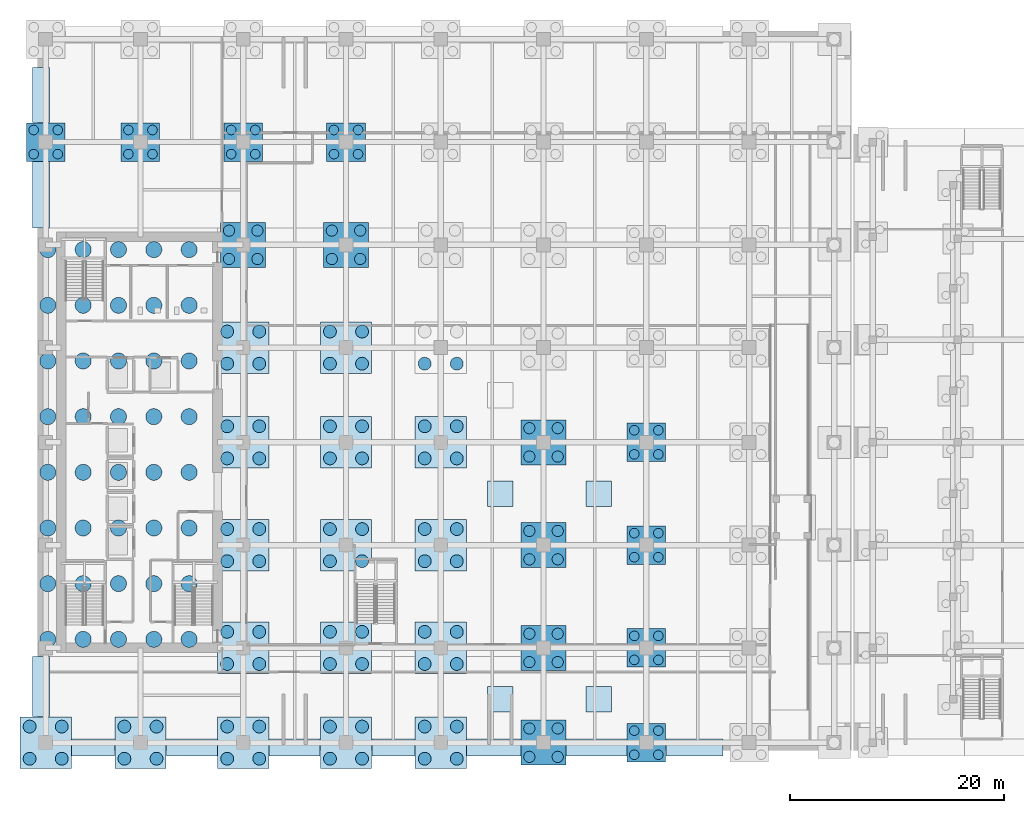
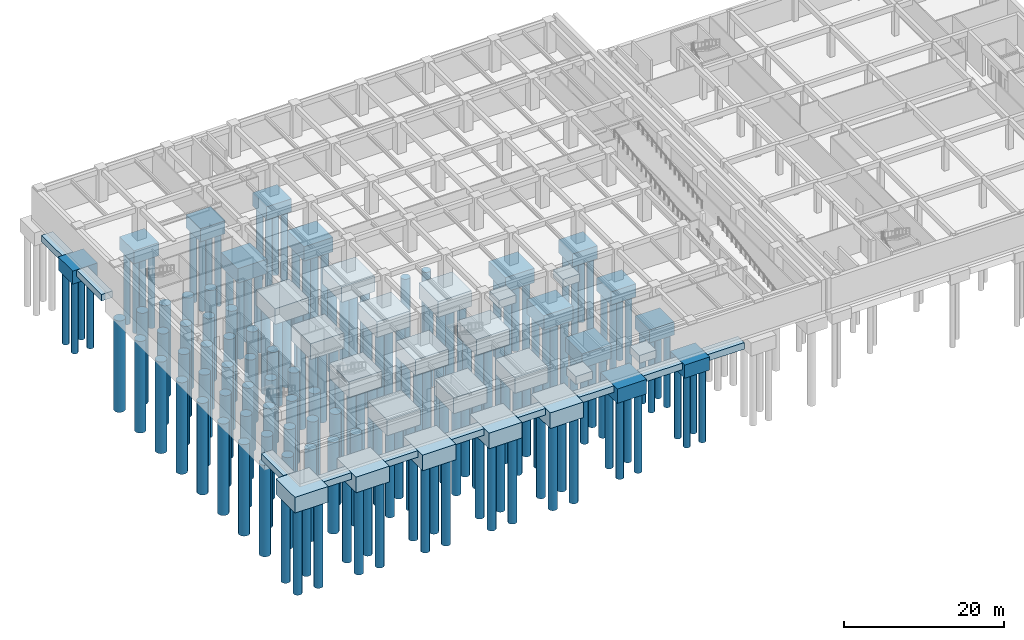
# One storey, part 1 of 20: 162 piles, 44 footings.
"""IFC4 building model written with IfcOpenShell, lengths in metres."""

import ifcopenshell
import ifcopenshell.guid

model = None  # the IFC model being written
_history = None  # IfcOwnerHistory: only IFC2X3 demands one
_inside = {}  # id of a spatial element -> (the spatial element, [elements in it])
_under = {}  # id of a project, library or spatial element -> (it, [spatial elements below it])
_declared = {}  # id of a project -> (the project, [libraries it declares])
_typed = {}  # id of a type object -> (the type object, [elements of that type])
_made_of = {}  # id of a material, layer set ... -> (it, [elements and type objects made of it])


def new_model(schema):
    """Start an empty IFC model of exactly this schema.

    Asked for "IFC4X3", IfcOpenShell would pick the latest addendum, in which some entities
    have other attributes; the version numbers below select the first issue.
    IFC2X3 requires an IfcOwnerHistory on every rooted entity: one is made here for all.
    """
    global model, _history
    if schema == "IFC4X3":
        model = ifcopenshell.file(schema_version=(4, 3, 0, 0))
    else:
        model = ifcopenshell.file(schema=schema)
    _inside.clear()
    _under.clear()
    _declared.clear()
    _typed.clear()
    _made_of.clear()
    _history = None
    if model.schema == "IFC2X3":
        org = make("IfcOrganization", Name="unknown")
        user = make(
            "IfcPersonAndOrganization",
            ThePerson=make("IfcPerson", FamilyName="unknown"),
            TheOrganization=org,
        )
        app = make(
            "IfcApplication",
            ApplicationDeveloper=org,
            Version="unknown",
            ApplicationFullName="unknown",
            ApplicationIdentifier="unknown",
        )
        _history = make(
            "IfcOwnerHistory",
            OwningUser=user,
            OwningApplication=app,
            ChangeAction="ADDED",
            CreationDate=0,
        )
    return model


def make(cls, **values):
    """One entity of the class cls with the attributes given. An attribute that is None is left unset."""
    return model.create_entity(
        cls, **{name: value for name, value in values.items() if value is not None}
    )


def rooted(cls, **values):
    """An entity with a GlobalId (a new one), such as an element, a storey or a relation."""
    return make(cls, GlobalId=ifcopenshell.guid.new(), OwnerHistory=_history, **values)


def si_unit(unit_type, name, prefix=None):
    """IfcSIUnit, for example si_unit("LENGTHUNIT", "METRE", prefix="MILLI")."""
    return make("IfcSIUnit", UnitType=unit_type, Prefix=prefix, Name=name)


def assignment(units):
    """IfcUnitAssignment: the units of a project."""
    return None if units is None else make("IfcUnitAssignment", Units=units)


def point(xyz):
    """IfcCartesianPoint."""
    return None if xyz is None else make("IfcCartesianPoint", Coordinates=xyz)


def direction(xyz):
    """IfcDirection."""
    return None if xyz is None else make("IfcDirection", DirectionRatios=xyz)


def frame(location, z_axis=None, x_axis=None):
    """IfcAxis2Placement3D, a coordinate frame: its origin and axes. An axis left out is left unset."""
    return make(
        "IfcAxis2Placement3D",
        Location=point(location),
        Axis=direction(z_axis),
        RefDirection=direction(x_axis),
    )


def frame_2d(location, x_axis=None):
    """IfcAxis2Placement2D, a coordinate frame in the plane: its origin and x axis."""
    return make(
        "IfcAxis2Placement2D", Location=point(location), RefDirection=direction(x_axis)
    )


def origin():
    """The frame at (0, 0, 0) with its axes left unset."""
    return frame((0.0, 0.0, 0.0))


def origin_2d():
    """The frame at (0, 0) in the plane with its x axis left unset."""
    return frame_2d((0.0, 0.0))


def place(relative_to, where):
    """IfcLocalPlacement: puts the frame where relative to a parent placement (None: the world)."""
    return make(
        "IfcLocalPlacement", PlacementRelTo=relative_to, RelativePlacement=where
    )


def context(
    kind, dimensions, precision=None, world=None, true_north=None, identifier=None
):
    """IfcGeometricRepresentationContext, for example the 3D "Model" context."""
    return make(
        "IfcGeometricRepresentationContext",
        ContextIdentifier=identifier,
        ContextType=kind,
        CoordinateSpaceDimension=dimensions,
        Precision=precision,
        WorldCoordinateSystem=world,
        TrueNorth=true_north,
    )


def subcontext(parent, identifier, kind, view, scale=None):
    """IfcGeometricRepresentationSubContext, for example "Body" below "Model"."""
    return make(
        "IfcGeometricRepresentationSubContext",
        ContextIdentifier=identifier,
        ContextType=kind,
        ParentContext=parent,
        TargetScale=scale,
        TargetView=view,
    )


def project(units=None, contexts=None):
    """IfcProject with its units and contexts."""
    return rooted(
        "IfcProject",
        Name="project",
        RepresentationContexts=contexts,
        UnitsInContext=assignment(units),
    )


def spatial(cls, under=None, at=None, **own):
    """A site, building, storey or space (cls), placed at a placement, below another one or the project."""
    s = rooted(cls, ObjectPlacement=at, **own)
    if under is not None:
        _under.setdefault(under.id(), (under, []))[1].append(s)
    return s


def profile(cls, at=None, kind="AREA", **sizes):
    """A parametric profile (cls). Its sizes go by their IFC names, for example OverallWidth=200.0."""
    return make(cls, ProfileType=kind, Position=at, **sizes)


def rectangle(**sizes):
    """IfcRectangleProfileDef."""
    return profile("IfcRectangleProfileDef", **sizes)


def circle(**sizes):
    """IfcCircleProfileDef."""
    return profile("IfcCircleProfileDef", **sizes)


def extrude(swept, where, along, depth):
    """IfcExtrudedAreaSolid: the profile swept, set in the frame where, extruded along a direction by depth."""
    return make(
        "IfcExtrudedAreaSolid",
        SweptArea=swept,
        Position=where,
        ExtrudedDirection=direction(along),
        Depth=depth,
    )


def shape(context_of_items, identifier, shape_type, items):
    """IfcShapeRepresentation: the items that make up one representation, for example the "Body"."""
    return make(
        "IfcShapeRepresentation",
        ContextOfItems=context_of_items,
        RepresentationIdentifier=identifier,
        RepresentationType=shape_type,
        Items=items,
    )


def material(Name=None, Category=None):
    """IfcMaterial."""
    return make("IfcMaterial", Name=Name, Category=Category)


def material_profile(
    of_material, cross_section, Name=None, Category=None, Priority=None
):
    """IfcMaterialProfile: a cross section and its material."""
    return make(
        "IfcMaterialProfile",
        Name=Name,
        Material=of_material,
        Profile=cross_section,
        Priority=Priority,
        Category=Category,
    )


def profile_set(profiles, Name=None, composite=None):
    """IfcMaterialProfileSet."""
    return make(
        "IfcMaterialProfileSet",
        Name=Name,
        MaterialProfiles=profiles,
        CompositeProfile=composite,
    )


def made_of(thing, what):
    """Note that an element or type object is made of a material, layer set ...; save() writes the relation."""
    if what is not None:
        _made_of.setdefault(what.id(), (what, []))[1].append(thing)
    return thing


def type_object(cls, material=None, **own):
    """A type object (cls), such as IfcWallType, which elements share."""
    return made_of(rooted(cls, **own), material)


def element(
    cls,
    number,
    at=None,
    inside=None,
    cuts=None,
    type_object=None,
    material=None,
    context=None,
    identifier="Body",
    shape_type=None,
    held_by="IfcProductDefinitionShape",
    body=None,
    shapes=None,
    **own,
):
    """One element of the class cls, such as IfcWall. Its Tag is "e" and its number.

    at: its placement. inside: the storey or other place that contains it. cuts: it is an
    opening in that element (IfcRelVoidsElement). A single representation is given by context,
    identifier, shape_type and body (its items); several are given by shapes. held_by: the class
    of the entity that holds the representations. save() writes the other relations.
    """
    e = rooted(cls, Tag="e%d" % number, ObjectPlacement=at, **own)
    if body is not None:
        shapes = [shape(context, identifier, shape_type, body)]
    if shapes is not None:
        e.Representation = make(held_by, Representations=shapes)
    if inside is not None:
        _inside.setdefault(inside.id(), (inside, []))[1].append(e)
    if cuts is not None:
        rooted(
            "IfcRelVoidsElement", RelatingBuildingElement=cuts, RelatedOpeningElement=e
        )
    if type_object is not None:
        _typed.setdefault(type_object.id(), (type_object, []))[1].append(e)
    return made_of(e, material)


def aggregate(whole, parts):
    """IfcRelAggregates: a whole, such as a stair, and the parts it consists of."""
    return rooted("IfcRelAggregates", RelatingObject=whole, RelatedObjects=parts)


def save(model, path):
    """Write the relations noted so far, then the file.

    IfcRelAggregates (storeys below a building ...), IfcRelContainedInSpatialStructure (elements
    in a storey), IfcRelDefinesByType, IfcRelAssociatesMaterial and IfcRelDeclares: one each for
    every whole, place, type object, material and project.
    """
    for whole, parts in _under.values():
        aggregate(whole, parts)
    for where, things in _inside.values():
        rooted(
            "IfcRelContainedInSpatialStructure",
            RelatedElements=things,
            RelatingStructure=where,
        )
    for kind, things in _typed.values():
        rooted("IfcRelDefinesByType", RelatedObjects=things, RelatingType=kind)
    for what, things in _made_of.values():
        rooted("IfcRelAssociatesMaterial", RelatedObjects=things, RelatingMaterial=what)
    for by, libraries in _declared.values():
        rooted("IfcRelDeclares", RelatingContext=by, RelatedDefinitions=libraries)
    model.write(path)


model = new_model("IFC4")

# Units and contexts
model_context = context("Model", 3, precision=1e-05, world=origin(), true_north=direction((0.0, 1.0)))
body_context = subcontext(model_context, "Body", "Model", "MODEL_VIEW")
ifc_project = project(units=[si_unit("LENGTHUNIT", "METRE"), si_unit("AREAUNIT", "SQUARE_METRE"), si_unit("VOLUMEUNIT", "CUBIC_METRE"), si_unit("PLANEANGLEUNIT", "RADIAN"), si_unit("MASSUNIT", "GRAM", prefix="KILO")], contexts=[model_context])

# Site, building, storey
site_placement = place(None, origin())
site = spatial("IfcSite", under=ifc_project, at=site_placement, CompositionType="ELEMENT")
building_placement = place(site_placement, origin())
building = spatial("IfcBuilding", under=site, at=building_placement, Name="Norrvale University Quadrangle", CompositionType="ELEMENT")
storey_placement = place(building_placement, frame((0.0, 0.0, -5.0)))
storey = spatial("IfcBuildingStorey", under=building, at=storey_placement, Name="B01", CompositionType="ELEMENT", Elevation=-5.0)

# Footings
ifc_material = material(Name="Concrete C50/60", Category="concrete")
footing_type_1 = type_object("IfcFootingType", Name="Footing Cap 3600x3600x2000", PredefinedType="PILE_CAP", material=ifc_material)
for number, where, z_axis, x_axis, name in (
    (1, (0.75, 56.85009765625, -2.419921875), (0.0, 0.0, 1.0), (1.0, 0.0, 0.0), "Tower Pile Cap 002"),
    (2, (9.60009765625, 56.85009765625, -2.419921875), (0.0, 0.0, 1.0), (1.0, 0.0, 0.0), "Tower Pile Cap 005"),
    (3, (19.199951171875, 56.85009765625, -2.419921875), (0.0, 0.0, 1.0), (1.0, 0.0, 0.0), "Tower Pile Cap 013"),
    (4, (28.800048828125, 56.85009765625, -2.419921875), (0.0, 0.0, 1.0), (1.0, 0.0, 0.0), "Tower Pile Cap 021"),
    (5, (56.85009765625, 0.75, -2.419921875), (0.0, 0.0, 1.0), (1.0, 0.0, 0.0), "Tower Pile Cap 039"),
    (6, (56.85009765625, 9.60009765625, -2.419921875), (0.0, 0.0, 1.0), (1.0, 0.0, 0.0), "Tower Pile Cap 040"),
    (7, (56.85009765625, 19.199951171875, -2.419921875), (0.0, 0.0, 1.0), (1.0, 0.0, 0.0), "Tower Pile Cap 041"),
    (8, (56.85009765625, 28.800048828125, -2.419921875), (0.0, 0.0, 1.0), (1.0, 0.0, 0.0), "Tower Pile Cap 042"),
):
    element("IfcFooting", number, at=place(storey_placement, frame(where, z_axis=z_axis, x_axis=x_axis)), inside=storey, type_object=footing_type_1, Name=name, PredefinedType="PILE_CAP", context=body_context, shape_type="SweptSolid", body=[
        extrude(rectangle(XDim=3.60009765625, YDim=3.60009765625, at=origin_2d()), origin(), (0.0, 0.0, 1.0), 2.0),
    ])
footing_type_2 = type_object("IfcFootingType", Name="Footing Cap 4200x4200x2200", PredefinedType="PILE_CAP", material=ifc_material)
for number, where, z_axis, x_axis, name in (
    (9, (19.199951171875, 47.25, -2.6201171875), (0.0, 0.0, 1.0), (1.0, 0.0, 0.0), "Tower Pile Cap 012"),
    (10, (28.800048828125, 47.25, -2.6201171875), (0.0, 0.0, 1.0), (1.0, 0.0, 0.0), "Tower Pile Cap 020"),
    (11, (47.25, 0.75, -2.6201171875), (0.0, 0.0, 1.0), (1.0, 0.0, 0.0), "Tower Pile Cap 031"),
    (12, (47.25, 9.60009765625, -2.6201171875), (0.0, 0.0, 1.0), (1.0, 0.0, 0.0), "Tower Pile Cap 032"),
    (13, (47.25, 19.199951171875, -2.6201171875), (0.0, 0.0, 1.0), (1.0, 0.0, 0.0), "Tower Pile Cap 033"),
    (14, (47.25, 28.800048828125, -2.6201171875), (0.0, 0.0, 1.0), (1.0, 0.0, 0.0), "Tower Pile Cap 034"),
):
    element("IfcFooting", number, at=place(storey_placement, frame(where, z_axis=z_axis, x_axis=x_axis)), inside=storey, type_object=footing_type_2, Name=name, PredefinedType="PILE_CAP", context=body_context, shape_type="SweptSolid", body=[
        extrude(rectangle(XDim=4.199951171875, YDim=4.199951171875, at=origin_2d()), origin(), (0.0, 0.0, 1.0), 2.199951171875),
    ])
footing_type_3 = type_object("IfcFootingType", Name="Footing Cap 4800x4800x2400", PredefinedType="PILE_CAP", material=ifc_material)
for number, where, z_axis, x_axis, name in (
    (15, (0.75, 0.75, -2.820068359375), (0.0, 0.0, 1.0), (1.0, 0.0, 0.0), "Tower Pile Cap 001"),
    (16, (9.60009765625, 0.75, -2.820068359375), (0.0, 0.0, 1.0), (1.0, 0.0, 0.0), "Tower Pile Cap 004"),
    (17, (19.199951171875, 0.75, -2.820068359375), (0.0, 0.0, 1.0), (1.0, 0.0, 0.0), "Tower Pile Cap 007"),
    (18, (19.199951171875, 9.60009765625, -2.820068359375), (0.0, 0.0, 1.0), (1.0, 0.0, 0.0), "Tower Pile Cap 008"),
    (19, (19.199951171875, 19.199951171875, -2.820068359375), (0.0, 0.0, 1.0), (1.0, 0.0, 0.0), "Tower Pile Cap 009"),
    (20, (19.199951171875, 28.800048828125, -2.820068359375), (0.0, 0.0, 1.0), (1.0, 0.0, 0.0), "Tower Pile Cap 010"),
    (21, (19.199951171875, 37.64990234375, -2.820068359375), (0.0, 0.0, 1.0), (1.0, 0.0, 0.0), "Tower Pile Cap 011"),
    (22, (28.800048828125, 0.75, -2.820068359375), (0.0, 0.0, 1.0), (1.0, 0.0, 0.0), "Tower Pile Cap 015"),
    (23, (28.800048828125, 9.60009765625, -2.820068359375), (0.0, 0.0, 1.0), (1.0, 0.0, 0.0), "Tower Pile Cap 016"),
    (24, (28.800048828125, 19.199951171875, -2.820068359375), (0.0, 0.0, 1.0), (1.0, 0.0, 0.0), "Tower Pile Cap 017"),
    (25, (28.800048828125, 28.800048828125, -2.820068359375), (0.0, 0.0, 1.0), (1.0, 0.0, 0.0), "Tower Pile Cap 018"),
    (26, (28.800048828125, 37.64990234375, -2.820068359375), (0.0, 0.0, 1.0), (1.0, 0.0, 0.0), "Tower Pile Cap 019"),
    (27, (37.64990234375, 0.75, -2.820068359375), (0.0, 0.0, 1.0), (1.0, 0.0, 0.0), "Tower Pile Cap 023"),
    (28, (37.64990234375, 9.60009765625, -2.820068359375), (0.0, 0.0, 1.0), (1.0, 0.0, 0.0), "Tower Pile Cap 024"),
    (29, (37.64990234375, 19.199951171875, -2.820068359375), (0.0, 0.0, 1.0), (1.0, 0.0, 0.0), "Tower Pile Cap 025"),
    (30, (37.64990234375, 28.800048828125, -2.820068359375), (0.0, 0.0, 1.0), (1.0, 0.0, 0.0), "Tower Pile Cap 026"),
):
    element("IfcFooting", number, at=place(storey_placement, frame(where, z_axis=z_axis, x_axis=x_axis)), inside=storey, type_object=footing_type_3, Name=name, PredefinedType="PILE_CAP", context=body_context, shape_type="SweptSolid", body=[
        extrude(rectangle(XDim=4.800048828125, YDim=4.800048828125, at=origin_2d()), origin(), (0.0, 0.0, 1.0), 2.39990234375),
    ])
footing_type_4 = type_object("IfcFootingType", Name="Footing Pad 2400x2400x1200", PredefinedType="PAD_FOOTING", material=ifc_material)
for number, where, z_axis, x_axis, name in (
    (31, (43.199951171875, 4.800048828125, -1.6201171875), (0.0, 0.0, 1.0), (1.0, 0.0, 0.0), "Basement Pad Footing FP1-01"),
    (32, (52.39990234375, 4.800048828125, -1.6201171875), (0.0, 0.0, 1.0), (1.0, 0.0, 0.0), "Basement Pad Footing FP1-02"),
    (33, (43.199951171875, 24.0, -1.6201171875), (0.0, 0.0, 1.0), (1.0, 0.0, 0.0), "Basement Pad Footing FP1-03"),
    (34, (52.39990234375, 24.0, -1.6201171875), (0.0, 0.0, 1.0), (1.0, 0.0, 0.0), "Basement Pad Footing FP1-04"),
):
    element("IfcFooting", number, at=place(storey_placement, frame(where, z_axis=z_axis, x_axis=x_axis)), inside=storey, type_object=footing_type_4, Name=name, PredefinedType="PAD_FOOTING", context=body_context, shape_type="SweptSolid", body=[
        extrude(rectangle(XDim=2.39990234375, YDim=2.39990234375, at=origin_2d()), origin(), (0.0, 0.0, 1.0), 1.199951171875),
    ])
footing_type_5 = type_object("IfcFootingType", Name="Footing Strip 1600x1000", PredefinedType="STRIP_FOOTING", material=ifc_material)
footing_1_placement = place(storey_placement, frame((5.175048828125, 0.300048828125, -1.419921875), z_axis=(0.0, 0.0, 1.0), x_axis=(1.0, 0.0, 0.0)))
element("IfcFooting", 35, at=footing_1_placement, inside=storey, type_object=footing_type_5, Name="Perimeter Strip Footing FS1-01", PredefinedType="STRIP_FOOTING", context=body_context, shape_type="SweptSolid", body=[
    extrude(rectangle(XDim=4.010009765625, YDim=1.60009765625, at=origin_2d()), origin(), (0.0, 0.0, 1.0), 1.0),
])
for number, where, z_axis, x_axis, name in (
    (36, (14.39990234375, 0.300048828125, -1.419921875), (0.0, 0.0, 1.0), (1.0, 0.0, 0.0), "Perimeter Strip Footing FS1-02"),
    (37, (24.0, 0.300048828125, -1.419921875), (0.0, 0.0, 1.0), (1.0, 0.0, 0.0), "Perimeter Strip Footing FS1-03"),
):
    element("IfcFooting", number, at=place(storey_placement, frame(where, z_axis=z_axis, x_axis=x_axis)), inside=storey, type_object=footing_type_5, Name=name, PredefinedType="STRIP_FOOTING", context=body_context, shape_type="SweptSolid", body=[
        extrude(rectangle(XDim=4.760009765625, YDim=1.60009765625, at=origin_2d()), origin(), (0.0, 0.0, 1.0), 1.0),
    ])
footing_2_placement = place(storey_placement, frame((33.22509765625, 0.300048828125, -1.419921875), z_axis=(0.0, 0.0, 1.0), x_axis=(1.0, 0.0, 0.0)))
element("IfcFooting", 38, at=footing_2_placement, inside=storey, type_object=footing_type_5, Name="Perimeter Strip Footing FS1-04", PredefinedType="STRIP_FOOTING", context=body_context, shape_type="SweptSolid", body=[
    extrude(rectangle(XDim=4.010009765625, YDim=1.60009765625, at=origin_2d()), origin(), (0.0, 0.0, 1.0), 1.0),
])
footing_3_placement = place(storey_placement, frame((42.60009765625, 0.300048828125, -1.419921875), z_axis=(0.0, 0.0, 1.0), x_axis=(1.0, 0.0, 0.0)))
element("IfcFooting", 39, at=footing_3_placement, inside=storey, type_object=footing_type_5, Name="Perimeter Strip Footing FS1-05", PredefinedType="STRIP_FOOTING", context=body_context, shape_type="SweptSolid", body=[
    extrude(rectangle(XDim=5.06005859375, YDim=1.60009765625, at=origin_2d()), origin(), (0.0, 0.0, 1.0), 1.0),
])
footing_4_placement = place(storey_placement, frame((52.199951171875, 0.300048828125, -1.419921875), z_axis=(0.0, 0.0, 1.0), x_axis=(1.0, 0.0, 0.0)))
element("IfcFooting", 40, at=footing_4_placement, inside=storey, type_object=footing_type_5, Name="Perimeter Strip Footing FS1-06", PredefinedType="STRIP_FOOTING", context=body_context, shape_type="SweptSolid", body=[
    extrude(rectangle(XDim=5.659912109375, YDim=1.60009765625, at=origin_2d()), origin(), (0.0, 0.0, 1.0), 1.0),
])
footing_5_placement = place(storey_placement, frame((61.3349609375, 0.300048828125, -1.419921875), z_axis=(0.0, 0.0, 1.0), x_axis=(1.0, 0.0, 0.0)))
element("IfcFooting", 41, at=footing_5_placement, inside=storey, type_object=footing_type_5, Name="Perimeter Strip Footing FS1-07", PredefinedType="STRIP_FOOTING", context=body_context, shape_type="SweptSolid", body=[
    extrude(rectangle(XDim=5.330078125, YDim=1.60009765625, at=origin_2d()), origin(), (0.0, 0.0, 1.0), 1.0),
])
footing_6_placement = place(storey_placement, frame((0.300048828125, 5.989990234375, -1.419921875), z_axis=(0.0, 0.0, 1.0), x_axis=(0.0, 1.0, 0.0)))
element("IfcFooting", 42, at=footing_6_placement, inside=storey, type_object=footing_type_5, Name="Perimeter Strip Footing FS1-15", PredefinedType="STRIP_FOOTING", context=body_context, shape_type="SweptSolid", body=[
    extrude(rectangle(XDim=5.580078125, YDim=1.60009765625, at=origin_2d()), origin(), (0.0, 0.0, 1.0), 1.0),
])
footing_7_placement = place(storey_placement, frame((0.300048828125, 51.925048828125, -1.419921875), z_axis=(0.0, 0.0, 1.0), x_axis=(0.0, 1.0, 0.0)))
element("IfcFooting", 43, at=footing_7_placement, inside=storey, type_object=footing_type_5, Name="Perimeter Strip Footing FS1-16", PredefinedType="STRIP_FOOTING", context=body_context, shape_type="SweptSolid", body=[
    extrude(rectangle(XDim=6.2099609375, YDim=1.60009765625, at=origin_2d()), origin(), (0.0, 0.0, 1.0), 1.0),
])
footing_8_placement = place(storey_placement, frame((0.300048828125, 61.235107421875, -1.419921875), z_axis=(0.0, 0.0, 1.0), x_axis=(0.0, 1.0, 0.0)))
element("IfcFooting", 44, at=footing_8_placement, inside=storey, type_object=footing_type_5, Name="Perimeter Strip Footing FS1-17", PredefinedType="STRIP_FOOTING", context=body_context, shape_type="SweptSolid", body=[
    extrude(rectangle(XDim=5.1298828125, YDim=1.60009765625, at=origin_2d()), origin(), (0.0, 0.0, 1.0), 1.0),
])

# Piles
ifc_material_profile_1 = material_profile(ifc_material, circle(Radius=0.52490234375, at=origin_2d()), Name="Concrete C50/60")
ifc_profile_set_1 = profile_set([ifc_material_profile_1], Name="Concrete C50/60")
pile_type_1 = type_object("IfcPileType", Name="Pile Caisson 1050", PredefinedType="BORED", material=ifc_profile_set_1)
for number, where, z_axis, x_axis, name in (
    (45, (17.875, 45.925048828125, -2.6201171875), (0.0, 0.0, -1.0), (1.0, 0.0, 0.0), "Tower Caisson Pile 093"),
    (46, (20.52490234375, 45.925048828125, -2.6201171875), (0.0, 0.0, -1.0), (1.0, 0.0, 0.0), "Tower Caisson Pile 094"),
    (47, (17.875, 48.574951171875, -2.6201171875), (0.0, 0.0, -1.0), (1.0, 0.0, 0.0), "Tower Caisson Pile 095"),
    (48, (20.52490234375, 48.574951171875, -2.6201171875), (0.0, 0.0, -1.0), (1.0, 0.0, 0.0), "Tower Caisson Pile 096"),
    (49, (27.47509765625, 45.925048828125, -2.6201171875), (0.0, 0.0, -1.0), (1.0, 0.0, 0.0), "Tower Caisson Pile 125"),
    (50, (30.125, 45.925048828125, -2.6201171875), (0.0, 0.0, -1.0), (1.0, 0.0, 0.0), "Tower Caisson Pile 126"),
    (51, (27.47509765625, 48.574951171875, -2.6201171875), (0.0, 0.0, -1.0), (1.0, 0.0, 0.0), "Tower Caisson Pile 127"),
    (52, (30.125, 48.574951171875, -2.6201171875), (0.0, 0.0, -1.0), (1.0, 0.0, 0.0), "Tower Caisson Pile 128"),
    (53, (45.925048828125, -0.574951171875, -2.6201171875), (0.0, 0.0, -1.0), (1.0, 0.0, 0.0), "Tower Caisson Pile 169"),
    (54, (48.574951171875, -0.574951171875, -2.6201171875), (0.0, 0.0, -1.0), (1.0, 0.0, 0.0), "Tower Caisson Pile 170"),
    (55, (45.925048828125, 2.074951171875, -2.6201171875), (0.0, 0.0, -1.0), (1.0, 0.0, 0.0), "Tower Caisson Pile 171"),
    (56, (48.574951171875, 2.074951171875, -2.6201171875), (0.0, 0.0, -1.0), (1.0, 0.0, 0.0), "Tower Caisson Pile 172"),
    (57, (45.925048828125, 8.27490234375, -2.6201171875), (0.0, 0.0, -1.0), (1.0, 0.0, 0.0), "Tower Caisson Pile 173"),
    (58, (48.574951171875, 8.27490234375, -2.6201171875), (0.0, 0.0, -1.0), (1.0, 0.0, 0.0), "Tower Caisson Pile 174"),
    (59, (45.925048828125, 10.925048828125, -2.6201171875), (0.0, 0.0, -1.0), (1.0, 0.0, 0.0), "Tower Caisson Pile 175"),
    (60, (48.574951171875, 10.925048828125, -2.6201171875), (0.0, 0.0, -1.0), (1.0, 0.0, 0.0), "Tower Caisson Pile 176"),
    (61, (45.925048828125, 17.875, -2.6201171875), (0.0, 0.0, -1.0), (1.0, 0.0, 0.0), "Tower Caisson Pile 177"),
    (62, (48.574951171875, 17.875, -2.6201171875), (0.0, 0.0, -1.0), (1.0, 0.0, 0.0), "Tower Caisson Pile 178"),
    (63, (45.925048828125, 20.52490234375, -2.6201171875), (0.0, 0.0, -1.0), (1.0, 0.0, 0.0), "Tower Caisson Pile 179"),
    (64, (48.574951171875, 20.52490234375, -2.6201171875), (0.0, 0.0, -1.0), (1.0, 0.0, 0.0), "Tower Caisson Pile 180"),
    (65, (45.925048828125, 27.47509765625, -2.6201171875), (0.0, 0.0, -1.0), (1.0, 0.0, 0.0), "Tower Caisson Pile 181"),
    (66, (48.574951171875, 27.47509765625, -2.6201171875), (0.0, 0.0, -1.0), (1.0, 0.0, 0.0), "Tower Caisson Pile 182"),
    (67, (45.925048828125, 30.125, -2.6201171875), (0.0, 0.0, -1.0), (1.0, 0.0, 0.0), "Tower Caisson Pile 183"),
    (68, (48.574951171875, 30.125, -2.6201171875), (0.0, 0.0, -1.0), (1.0, 0.0, 0.0), "Tower Caisson Pile 184"),
):
    element("IfcPile", number, at=place(storey_placement, frame(where, z_axis=z_axis, x_axis=x_axis)), inside=storey, type_object=pile_type_1, Name=name, PredefinedType="BORED", context=body_context, shape_type="SweptSolid", body=[
        extrude(circle(Radius=0.52490234375, at=origin_2d()), origin(), (0.0, 0.0, 1.0), 12.0),
    ])
ifc_material_profile_2 = material_profile(ifc_material, circle(Radius=0.60009765625, at=origin_2d()), Name="Concrete C50/60")
ifc_profile_set_2 = profile_set([ifc_material_profile_2], Name="Concrete C50/60")
pile_type_2 = type_object("IfcPileType", Name="Pile Caisson 1200", PredefinedType="BORED", material=ifc_profile_set_2)
for number, where, z_axis, x_axis, name in (
    (69, (-0.75, -0.75, -2.820068359375), (0.0, 0.0, -1.0), (1.0, 0.0, 0.0), "Tower Caisson Pile 049"),
    (70, (2.25, -0.75, -2.820068359375), (0.0, 0.0, -1.0), (1.0, 0.0, 0.0), "Tower Caisson Pile 050"),
    (71, (-0.75, 2.25, -2.820068359375), (0.0, 0.0, -1.0), (1.0, 0.0, 0.0), "Tower Caisson Pile 051"),
    (72, (2.25, 2.25, -2.820068359375), (0.0, 0.0, -1.0), (1.0, 0.0, 0.0), "Tower Caisson Pile 052"),
    (73, (8.10009765625, -0.75, -2.820068359375), (0.0, 0.0, -1.0), (1.0, 0.0, 0.0), "Tower Caisson Pile 061"),
    (74, (11.10009765625, -0.75, -2.820068359375), (0.0, 0.0, -1.0), (1.0, 0.0, 0.0), "Tower Caisson Pile 062"),
    (75, (8.10009765625, 2.25, -2.820068359375), (0.0, 0.0, -1.0), (1.0, 0.0, 0.0), "Tower Caisson Pile 063"),
    (76, (11.10009765625, 2.25, -2.820068359375), (0.0, 0.0, -1.0), (1.0, 0.0, 0.0), "Tower Caisson Pile 064"),
    (77, (17.699951171875, -0.75, -2.820068359375), (0.0, 0.0, -1.0), (1.0, 0.0, 0.0), "Tower Caisson Pile 073"),
    (78, (20.699951171875, -0.75, -2.820068359375), (0.0, 0.0, -1.0), (1.0, 0.0, 0.0), "Tower Caisson Pile 074"),
    (79, (17.699951171875, 2.25, -2.820068359375), (0.0, 0.0, -1.0), (1.0, 0.0, 0.0), "Tower Caisson Pile 075"),
    (80, (20.699951171875, 2.25, -2.820068359375), (0.0, 0.0, -1.0), (1.0, 0.0, 0.0), "Tower Caisson Pile 076"),
    (81, (17.699951171875, 8.10009765625, -2.820068359375), (0.0, 0.0, -1.0), (1.0, 0.0, 0.0), "Tower Caisson Pile 077"),
    (82, (20.699951171875, 8.10009765625, -2.820068359375), (0.0, 0.0, -1.0), (1.0, 0.0, 0.0), "Tower Caisson Pile 078"),
    (83, (17.699951171875, 11.10009765625, -2.820068359375), (0.0, 0.0, -1.0), (1.0, 0.0, 0.0), "Tower Caisson Pile 079"),
    (84, (20.699951171875, 11.10009765625, -2.820068359375), (0.0, 0.0, -1.0), (1.0, 0.0, 0.0), "Tower Caisson Pile 080"),
    (85, (17.699951171875, 17.699951171875, -2.820068359375), (0.0, 0.0, -1.0), (1.0, 0.0, 0.0), "Tower Caisson Pile 081"),
    (86, (20.699951171875, 17.699951171875, -2.820068359375), (0.0, 0.0, -1.0), (1.0, 0.0, 0.0), "Tower Caisson Pile 082"),
    (87, (17.699951171875, 20.699951171875, -2.820068359375), (0.0, 0.0, -1.0), (1.0, 0.0, 0.0), "Tower Caisson Pile 083"),
    (88, (20.699951171875, 20.699951171875, -2.820068359375), (0.0, 0.0, -1.0), (1.0, 0.0, 0.0), "Tower Caisson Pile 084"),
    (89, (17.699951171875, 27.300048828125, -2.820068359375), (0.0, 0.0, -1.0), (1.0, 0.0, 0.0), "Tower Caisson Pile 085"),
    (90, (20.699951171875, 27.300048828125, -2.820068359375), (0.0, 0.0, -1.0), (1.0, 0.0, 0.0), "Tower Caisson Pile 086"),
    (91, (17.699951171875, 30.300048828125, -2.820068359375), (0.0, 0.0, -1.0), (1.0, 0.0, 0.0), "Tower Caisson Pile 087"),
    (92, (20.699951171875, 30.300048828125, -2.820068359375), (0.0, 0.0, -1.0), (1.0, 0.0, 0.0), "Tower Caisson Pile 088"),
    (93, (17.699951171875, 36.14990234375, -2.820068359375), (0.0, 0.0, -1.0), (1.0, 0.0, 0.0), "Tower Caisson Pile 089"),
    (94, (20.699951171875, 36.14990234375, -2.820068359375), (0.0, 0.0, -1.0), (1.0, 0.0, 0.0), "Tower Caisson Pile 090"),
    (95, (17.699951171875, 39.14990234375, -2.820068359375), (0.0, 0.0, -1.0), (1.0, 0.0, 0.0), "Tower Caisson Pile 091"),
    (96, (20.699951171875, 39.14990234375, -2.820068359375), (0.0, 0.0, -1.0), (1.0, 0.0, 0.0), "Tower Caisson Pile 092"),
    (97, (27.300048828125, -0.75, -2.820068359375), (0.0, 0.0, -1.0), (1.0, 0.0, 0.0), "Tower Caisson Pile 105"),
    (98, (30.300048828125, -0.75, -2.820068359375), (0.0, 0.0, -1.0), (1.0, 0.0, 0.0), "Tower Caisson Pile 106"),
    (99, (27.300048828125, 2.25, -2.820068359375), (0.0, 0.0, -1.0), (1.0, 0.0, 0.0), "Tower Caisson Pile 107"),
    (100, (30.300048828125, 2.25, -2.820068359375), (0.0, 0.0, -1.0), (1.0, 0.0, 0.0), "Tower Caisson Pile 108"),
    (101, (27.300048828125, 8.10009765625, -2.820068359375), (0.0, 0.0, -1.0), (1.0, 0.0, 0.0), "Tower Caisson Pile 109"),
    (102, (30.300048828125, 8.10009765625, -2.820068359375), (0.0, 0.0, -1.0), (1.0, 0.0, 0.0), "Tower Caisson Pile 110"),
    (103, (27.300048828125, 11.10009765625, -2.820068359375), (0.0, 0.0, -1.0), (1.0, 0.0, 0.0), "Tower Caisson Pile 111"),
    (104, (30.300048828125, 11.10009765625, -2.820068359375), (0.0, 0.0, -1.0), (1.0, 0.0, 0.0), "Tower Caisson Pile 112"),
    (105, (27.300048828125, 17.699951171875, -2.820068359375), (0.0, 0.0, -1.0), (1.0, 0.0, 0.0), "Tower Caisson Pile 113"),
    (106, (30.300048828125, 17.699951171875, -2.820068359375), (0.0, 0.0, -1.0), (1.0, 0.0, 0.0), "Tower Caisson Pile 114"),
    (107, (27.300048828125, 20.699951171875, -2.820068359375), (0.0, 0.0, -1.0), (1.0, 0.0, 0.0), "Tower Caisson Pile 115"),
    (108, (30.300048828125, 20.699951171875, -2.820068359375), (0.0, 0.0, -1.0), (1.0, 0.0, 0.0), "Tower Caisson Pile 116"),
    (109, (27.300048828125, 27.300048828125, -2.820068359375), (0.0, 0.0, -1.0), (1.0, 0.0, 0.0), "Tower Caisson Pile 117"),
    (110, (30.300048828125, 27.300048828125, -2.820068359375), (0.0, 0.0, -1.0), (1.0, 0.0, 0.0), "Tower Caisson Pile 118"),
    (111, (27.300048828125, 30.300048828125, -2.820068359375), (0.0, 0.0, -1.0), (1.0, 0.0, 0.0), "Tower Caisson Pile 119"),
    (112, (30.300048828125, 30.300048828125, -2.820068359375), (0.0, 0.0, -1.0), (1.0, 0.0, 0.0), "Tower Caisson Pile 120"),
    (113, (27.300048828125, 36.14990234375, -2.820068359375), (0.0, 0.0, -1.0), (1.0, 0.0, 0.0), "Tower Caisson Pile 121"),
    (114, (30.300048828125, 36.14990234375, -2.820068359375), (0.0, 0.0, -1.0), (1.0, 0.0, 0.0), "Tower Caisson Pile 122"),
    (115, (27.300048828125, 39.14990234375, -2.820068359375), (0.0, 0.0, -1.0), (1.0, 0.0, 0.0), "Tower Caisson Pile 123"),
    (116, (30.300048828125, 39.14990234375, -2.820068359375), (0.0, 0.0, -1.0), (1.0, 0.0, 0.0), "Tower Caisson Pile 124"),
    (117, (36.14990234375, -0.75, -2.820068359375), (0.0, 0.0, -1.0), (1.0, 0.0, 0.0), "Tower Caisson Pile 137"),
    (118, (39.14990234375, -0.75, -2.820068359375), (0.0, 0.0, -1.0), (1.0, 0.0, 0.0), "Tower Caisson Pile 138"),
    (119, (36.14990234375, 2.25, -2.820068359375), (0.0, 0.0, -1.0), (1.0, 0.0, 0.0), "Tower Caisson Pile 139"),
    (120, (39.14990234375, 2.25, -2.820068359375), (0.0, 0.0, -1.0), (1.0, 0.0, 0.0), "Tower Caisson Pile 140"),
    (121, (36.14990234375, 8.10009765625, -2.820068359375), (0.0, 0.0, -1.0), (1.0, 0.0, 0.0), "Tower Caisson Pile 141"),
    (122, (39.14990234375, 8.10009765625, -2.820068359375), (0.0, 0.0, -1.0), (1.0, 0.0, 0.0), "Tower Caisson Pile 142"),
    (123, (36.14990234375, 11.10009765625, -2.820068359375), (0.0, 0.0, -1.0), (1.0, 0.0, 0.0), "Tower Caisson Pile 143"),
    (124, (39.14990234375, 11.10009765625, -2.820068359375), (0.0, 0.0, -1.0), (1.0, 0.0, 0.0), "Tower Caisson Pile 144"),
    (125, (36.14990234375, 17.699951171875, -2.820068359375), (0.0, 0.0, -1.0), (1.0, 0.0, 0.0), "Tower Caisson Pile 145"),
    (126, (39.14990234375, 17.699951171875, -2.820068359375), (0.0, 0.0, -1.0), (1.0, 0.0, 0.0), "Tower Caisson Pile 146"),
    (127, (36.14990234375, 20.699951171875, -2.820068359375), (0.0, 0.0, -1.0), (1.0, 0.0, 0.0), "Tower Caisson Pile 147"),
    (128, (39.14990234375, 20.699951171875, -2.820068359375), (0.0, 0.0, -1.0), (1.0, 0.0, 0.0), "Tower Caisson Pile 148"),
    (129, (36.14990234375, 27.300048828125, -2.820068359375), (0.0, 0.0, -1.0), (1.0, 0.0, 0.0), "Tower Caisson Pile 149"),
    (130, (39.14990234375, 27.300048828125, -2.820068359375), (0.0, 0.0, -1.0), (1.0, 0.0, 0.0), "Tower Caisson Pile 150"),
    (131, (36.14990234375, 30.300048828125, -2.820068359375), (0.0, 0.0, -1.0), (1.0, 0.0, 0.0), "Tower Caisson Pile 151"),
    (132, (39.14990234375, 30.300048828125, -2.820068359375), (0.0, 0.0, -1.0), (1.0, 0.0, 0.0), "Tower Caisson Pile 152"),
    (133, (36.14990234375, 36.14990234375, -2.820068359375), (0.0, 0.0, -1.0), (1.0, 0.0, 0.0), "Tower Caisson Pile 153"),
    (134, (39.14990234375, 36.14990234375, -2.820068359375), (0.0, 0.0, -1.0), (1.0, 0.0, 0.0), "Tower Caisson Pile 154"),
):
    element("IfcPile", number, at=place(storey_placement, frame(where, z_axis=z_axis, x_axis=x_axis)), inside=storey, type_object=pile_type_2, Name=name, PredefinedType="BORED", context=body_context, shape_type="SweptSolid", body=[
        extrude(circle(Radius=0.60009765625, at=origin_2d()), origin(), (0.0, 0.0, 1.0), 13.0),
    ])
ifc_material_profile_3 = material_profile(ifc_material, circle(Radius=0.75, at=origin_2d()), Name="Concrete C50/60")
ifc_profile_set_3 = profile_set([ifc_material_profile_3], Name="Concrete C50/60")
pile_type_3 = type_object("IfcPileType", Name="Pile Caisson 1500", PredefinedType="BORED", material=ifc_profile_set_3)
for number, where, z_axis, x_axis, name in (
    (135, (0.949951171875, 10.39990234375, -3.199951171875), (0.0, 0.0, -1.0), (1.0, 0.0, 0.0), "Core Caisson Pile P01-001"),
    (136, (0.949951171875, 15.60009765625, -3.199951171875), (0.0, 0.0, -1.0), (1.0, 0.0, 0.0), "Core Caisson Pile P01-002"),
    (137, (0.949951171875, 20.800048828125, -3.199951171875), (0.0, 0.0, -1.0), (1.0, 0.0, 0.0), "Core Caisson Pile P01-003"),
    (138, (0.949951171875, 26.0, -3.199951171875), (0.0, 0.0, -1.0), (1.0, 0.0, 0.0), "Core Caisson Pile P01-004"),
    (139, (0.949951171875, 31.199951171875, -3.199951171875), (0.0, 0.0, -1.0), (1.0, 0.0, 0.0), "Core Caisson Pile P01-005"),
    (140, (0.949951171875, 36.39990234375, -3.199951171875), (0.0, 0.0, -1.0), (1.0, 0.0, 0.0), "Core Caisson Pile P01-006"),
    (141, (0.949951171875, 41.60009765625, -3.199951171875), (0.0, 0.0, -1.0), (1.0, 0.0, 0.0), "Core Caisson Pile P01-007"),
    (142, (0.949951171875, 46.800048828125, -3.199951171875), (0.0, 0.0, -1.0), (1.0, 0.0, 0.0), "Core Caisson Pile P01-008"),
    (143, (4.25, 10.39990234375, -3.199951171875), (0.0, 0.0, -1.0), (1.0, 0.0, 0.0), "Core Caisson Pile P01-009"),
    (144, (4.25, 15.60009765625, -3.199951171875), (0.0, 0.0, -1.0), (1.0, 0.0, 0.0), "Core Caisson Pile P01-010"),
    (145, (4.25, 20.800048828125, -3.199951171875), (0.0, 0.0, -1.0), (1.0, 0.0, 0.0), "Core Caisson Pile P01-011"),
    (146, (4.25, 26.0, -3.199951171875), (0.0, 0.0, -1.0), (1.0, 0.0, 0.0), "Core Caisson Pile P01-012"),
    (147, (4.25, 31.199951171875, -3.199951171875), (0.0, 0.0, -1.0), (1.0, 0.0, 0.0), "Core Caisson Pile P01-013"),
    (148, (4.25, 36.39990234375, -3.199951171875), (0.0, 0.0, -1.0), (1.0, 0.0, 0.0), "Core Caisson Pile P01-014"),
    (149, (4.25, 41.60009765625, -3.199951171875), (0.0, 0.0, -1.0), (1.0, 0.0, 0.0), "Core Caisson Pile P01-015"),
    (150, (4.25, 46.800048828125, -3.199951171875), (0.0, 0.0, -1.0), (1.0, 0.0, 0.0), "Core Caisson Pile P01-016"),
    (151, (7.550048828125, 10.39990234375, -3.199951171875), (0.0, 0.0, -1.0), (1.0, 0.0, 0.0), "Core Caisson Pile P01-017"),
    (152, (7.550048828125, 15.60009765625, -3.199951171875), (0.0, 0.0, -1.0), (1.0, 0.0, 0.0), "Core Caisson Pile P01-018"),
    (153, (7.550048828125, 20.800048828125, -3.199951171875), (0.0, 0.0, -1.0), (1.0, 0.0, 0.0), "Core Caisson Pile P01-019"),
    (154, (7.550048828125, 26.0, -3.199951171875), (0.0, 0.0, -1.0), (1.0, 0.0, 0.0), "Core Caisson Pile P01-020"),
    (155, (7.550048828125, 31.199951171875, -3.199951171875), (0.0, 0.0, -1.0), (1.0, 0.0, 0.0), "Core Caisson Pile P01-021"),
    (156, (7.550048828125, 36.39990234375, -3.199951171875), (0.0, 0.0, -1.0), (1.0, 0.0, 0.0), "Core Caisson Pile P01-022"),
    (157, (7.550048828125, 41.60009765625, -3.199951171875), (0.0, 0.0, -1.0), (1.0, 0.0, 0.0), "Core Caisson Pile P01-023"),
    (158, (7.550048828125, 46.800048828125, -3.199951171875), (0.0, 0.0, -1.0), (1.0, 0.0, 0.0), "Core Caisson Pile P01-024"),
    (159, (10.85009765625, 10.39990234375, -3.199951171875), (0.0, 0.0, -1.0), (1.0, 0.0, 0.0), "Core Caisson Pile P01-025"),
    (160, (10.85009765625, 15.60009765625, -3.199951171875), (0.0, 0.0, -1.0), (1.0, 0.0, 0.0), "Core Caisson Pile P01-026"),
    (161, (10.85009765625, 20.800048828125, -3.199951171875), (0.0, 0.0, -1.0), (1.0, 0.0, 0.0), "Core Caisson Pile P01-027"),
    (162, (10.85009765625, 26.0, -3.199951171875), (0.0, 0.0, -1.0), (1.0, 0.0, 0.0), "Core Caisson Pile P01-028"),
    (163, (10.85009765625, 31.199951171875, -3.199951171875), (0.0, 0.0, -1.0), (1.0, 0.0, 0.0), "Core Caisson Pile P01-029"),
    (164, (10.85009765625, 36.39990234375, -3.199951171875), (0.0, 0.0, -1.0), (1.0, 0.0, 0.0), "Core Caisson Pile P01-030"),
    (165, (10.85009765625, 41.60009765625, -3.199951171875), (0.0, 0.0, -1.0), (1.0, 0.0, 0.0), "Core Caisson Pile P01-031"),
    (166, (10.85009765625, 46.800048828125, -3.199951171875), (0.0, 0.0, -1.0), (1.0, 0.0, 0.0), "Core Caisson Pile P01-032"),
    (167, (14.14990234375, 10.39990234375, -3.199951171875), (0.0, 0.0, -1.0), (1.0, 0.0, 0.0), "Core Caisson Pile P01-033"),
    (168, (14.14990234375, 15.60009765625, -3.199951171875), (0.0, 0.0, -1.0), (1.0, 0.0, 0.0), "Core Caisson Pile P01-034"),
    (169, (14.14990234375, 20.800048828125, -3.199951171875), (0.0, 0.0, -1.0), (1.0, 0.0, 0.0), "Core Caisson Pile P01-035"),
    (170, (14.14990234375, 26.0, -3.199951171875), (0.0, 0.0, -1.0), (1.0, 0.0, 0.0), "Core Caisson Pile P01-036"),
    (171, (14.14990234375, 31.199951171875, -3.199951171875), (0.0, 0.0, -1.0), (1.0, 0.0, 0.0), "Core Caisson Pile P01-037"),
    (172, (14.14990234375, 36.39990234375, -3.199951171875), (0.0, 0.0, -1.0), (1.0, 0.0, 0.0), "Core Caisson Pile P01-038"),
    (173, (14.14990234375, 41.60009765625, -3.199951171875), (0.0, 0.0, -1.0), (1.0, 0.0, 0.0), "Core Caisson Pile P01-039"),
    (174, (14.14990234375, 46.800048828125, -3.199951171875), (0.0, 0.0, -1.0), (1.0, 0.0, 0.0), "Core Caisson Pile P01-040"),
):
    element("IfcPile", number, at=place(storey_placement, frame(where, z_axis=z_axis, x_axis=x_axis)), inside=storey, type_object=pile_type_3, Name=name, PredefinedType="BORED", context=body_context, shape_type="SweptSolid", body=[
        extrude(circle(Radius=0.75, at=origin_2d()), origin(), (0.0, 0.0, 1.0), 14.0),
    ])
ifc_material_profile_4 = material_profile(ifc_material, circle(Radius=0.449951171875, at=origin_2d()), Name="Concrete C50/60")
ifc_profile_set_4 = profile_set([ifc_material_profile_4], Name="Concrete C50/60")
pile_type_4 = type_object("IfcPileType", Name="Pile Caisson 900", PredefinedType="BORED", material=ifc_profile_set_4)
for number, where, z_axis, x_axis, name in (
    (175, (-0.375, 55.72509765625, -2.419921875), (0.0, 0.0, -1.0), (1.0, 0.0, 0.0), "Tower Caisson Pile 053"),
    (176, (1.875, 55.72509765625, -2.419921875), (0.0, 0.0, -1.0), (1.0, 0.0, 0.0), "Tower Caisson Pile 054"),
    (177, (-0.375, 57.97509765625, -2.419921875), (0.0, 0.0, -1.0), (1.0, 0.0, 0.0), "Tower Caisson Pile 055"),
    (178, (1.875, 57.97509765625, -2.419921875), (0.0, 0.0, -1.0), (1.0, 0.0, 0.0), "Tower Caisson Pile 056"),
    (179, (8.47509765625, 55.72509765625, -2.419921875), (0.0, 0.0, -1.0), (1.0, 0.0, 0.0), "Tower Caisson Pile 065"),
    (180, (10.72509765625, 55.72509765625, -2.419921875), (0.0, 0.0, -1.0), (1.0, 0.0, 0.0), "Tower Caisson Pile 066"),
    (181, (8.47509765625, 57.97509765625, -2.419921875), (0.0, 0.0, -1.0), (1.0, 0.0, 0.0), "Tower Caisson Pile 067"),
    (182, (10.72509765625, 57.97509765625, -2.419921875), (0.0, 0.0, -1.0), (1.0, 0.0, 0.0), "Tower Caisson Pile 068"),
    (183, (18.074951171875, 55.72509765625, -2.419921875), (0.0, 0.0, -1.0), (1.0, 0.0, 0.0), "Tower Caisson Pile 097"),
    (184, (20.324951171875, 55.72509765625, -2.419921875), (0.0, 0.0, -1.0), (1.0, 0.0, 0.0), "Tower Caisson Pile 098"),
    (185, (18.074951171875, 57.97509765625, -2.419921875), (0.0, 0.0, -1.0), (1.0, 0.0, 0.0), "Tower Caisson Pile 099"),
    (186, (20.324951171875, 57.97509765625, -2.419921875), (0.0, 0.0, -1.0), (1.0, 0.0, 0.0), "Tower Caisson Pile 100"),
    (187, (27.675048828125, 55.72509765625, -2.419921875), (0.0, 0.0, -1.0), (1.0, 0.0, 0.0), "Tower Caisson Pile 129"),
    (188, (29.925048828125, 55.72509765625, -2.419921875), (0.0, 0.0, -1.0), (1.0, 0.0, 0.0), "Tower Caisson Pile 130"),
    (189, (27.675048828125, 57.97509765625, -2.419921875), (0.0, 0.0, -1.0), (1.0, 0.0, 0.0), "Tower Caisson Pile 131"),
    (190, (29.925048828125, 57.97509765625, -2.419921875), (0.0, 0.0, -1.0), (1.0, 0.0, 0.0), "Tower Caisson Pile 132"),
    (191, (55.72509765625, -0.375, -2.419921875), (0.0, 0.0, -1.0), (1.0, 0.0, 0.0), "Tower Caisson Pile 201"),
    (192, (57.97509765625, -0.375, -2.419921875), (0.0, 0.0, -1.0), (1.0, 0.0, 0.0), "Tower Caisson Pile 202"),
    (193, (55.72509765625, 1.875, -2.419921875), (0.0, 0.0, -1.0), (1.0, 0.0, 0.0), "Tower Caisson Pile 203"),
    (194, (57.97509765625, 1.875, -2.419921875), (0.0, 0.0, -1.0), (1.0, 0.0, 0.0), "Tower Caisson Pile 204"),
    (195, (55.72509765625, 8.47509765625, -2.419921875), (0.0, 0.0, -1.0), (1.0, 0.0, 0.0), "Tower Caisson Pile 205"),
    (196, (57.97509765625, 8.47509765625, -2.419921875), (0.0, 0.0, -1.0), (1.0, 0.0, 0.0), "Tower Caisson Pile 206"),
    (197, (55.72509765625, 10.72509765625, -2.419921875), (0.0, 0.0, -1.0), (1.0, 0.0, 0.0), "Tower Caisson Pile 207"),
    (198, (57.97509765625, 10.72509765625, -2.419921875), (0.0, 0.0, -1.0), (1.0, 0.0, 0.0), "Tower Caisson Pile 208"),
    (199, (55.72509765625, 18.074951171875, -2.419921875), (0.0, 0.0, -1.0), (1.0, 0.0, 0.0), "Tower Caisson Pile 209"),
    (200, (57.97509765625, 18.074951171875, -2.419921875), (0.0, 0.0, -1.0), (1.0, 0.0, 0.0), "Tower Caisson Pile 210"),
    (201, (55.72509765625, 20.324951171875, -2.419921875), (0.0, 0.0, -1.0), (1.0, 0.0, 0.0), "Tower Caisson Pile 211"),
    (202, (57.97509765625, 20.324951171875, -2.419921875), (0.0, 0.0, -1.0), (1.0, 0.0, 0.0), "Tower Caisson Pile 212"),
    (203, (55.72509765625, 27.675048828125, -2.419921875), (0.0, 0.0, -1.0), (1.0, 0.0, 0.0), "Tower Caisson Pile 213"),
    (204, (57.97509765625, 27.675048828125, -2.419921875), (0.0, 0.0, -1.0), (1.0, 0.0, 0.0), "Tower Caisson Pile 214"),
    (205, (55.72509765625, 29.925048828125, -2.419921875), (0.0, 0.0, -1.0), (1.0, 0.0, 0.0), "Tower Caisson Pile 215"),
    (206, (57.97509765625, 29.925048828125, -2.419921875), (0.0, 0.0, -1.0), (1.0, 0.0, 0.0), "Tower Caisson Pile 216"),
):
    element("IfcPile", number, at=place(storey_placement, frame(where, z_axis=z_axis, x_axis=x_axis)), inside=storey, type_object=pile_type_4, Name=name, PredefinedType="BORED", context=body_context, shape_type="SweptSolid", body=[
        extrude(circle(Radius=0.449951171875, at=origin_2d()), origin(), (0.0, 0.0, 1.0), 11.0),
    ])

save(model, "model.ifc")
